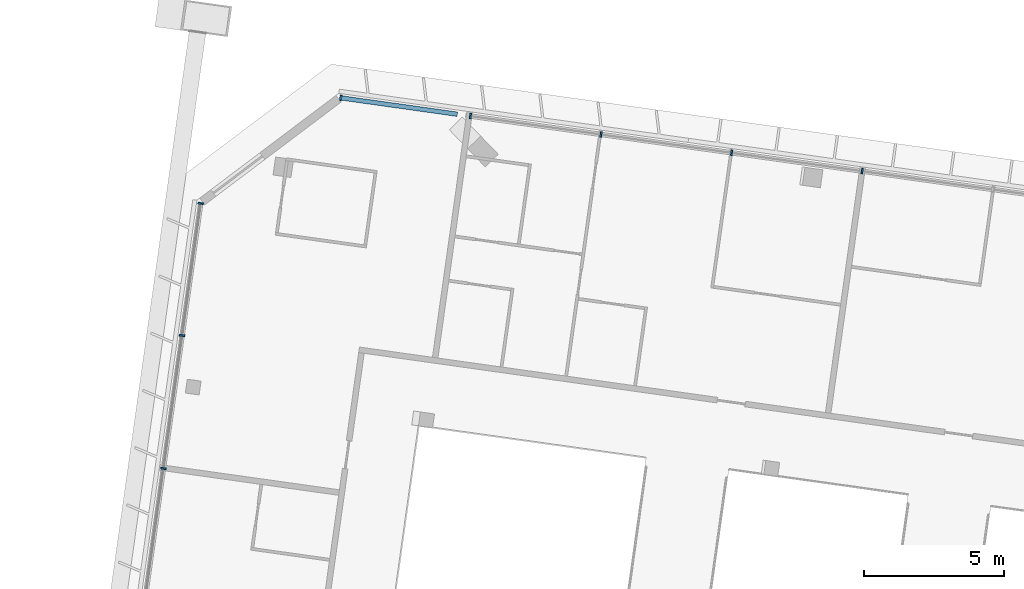
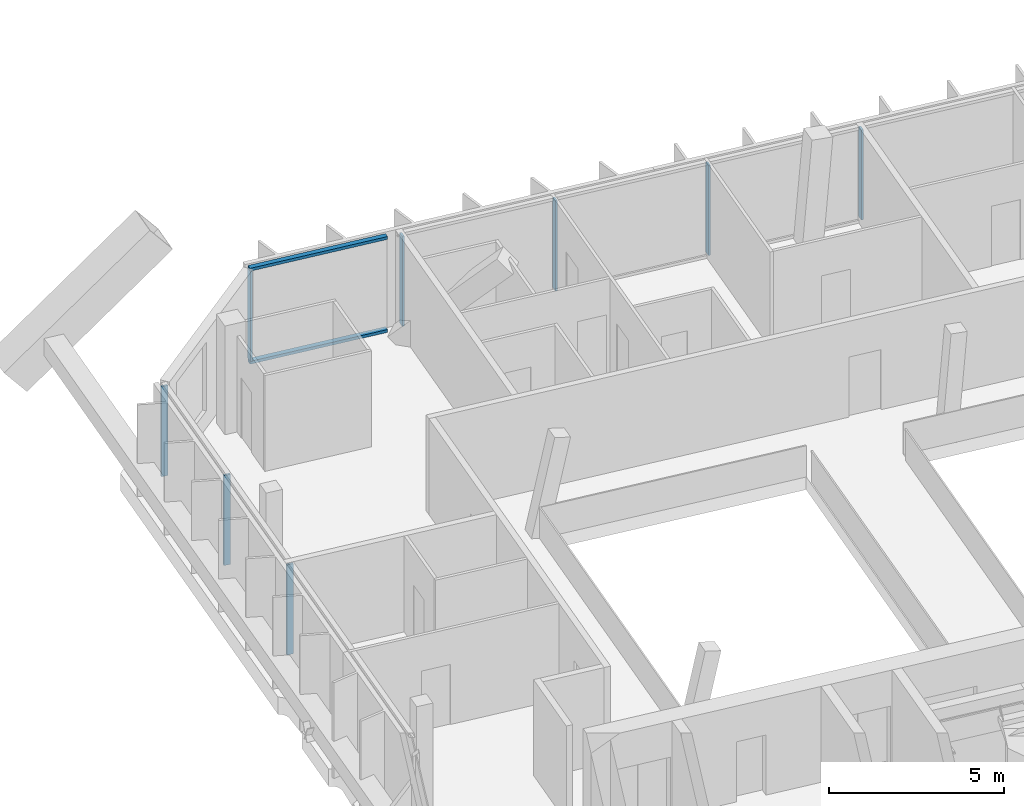
# One storey, part 6 of 25: 10 members, 2 elements without a shape of their own.
"""IFC4 building model written with IfcOpenShell, lengths in metres."""

from ifc_helpers import new_model, si_unit, direction, frame, origin, origin_2d, place, context, subcontext, project, spatial, rectangle, extrude, material, material_profile, profile_set, type_object, element, aggregate, save


model = new_model("IFC4")

# Units and contexts
model_context = context("Model", 3, precision=1e-05, world=origin(), true_north=direction((0.0, 1.0)))
body_context = subcontext(model_context, "Body", "Model", "MODEL_VIEW")
ifc_project = project(units=[si_unit("LENGTHUNIT", "METRE"), si_unit("AREAUNIT", "SQUARE_METRE"), si_unit("VOLUMEUNIT", "CUBIC_METRE"), si_unit("PLANEANGLEUNIT", "RADIAN"), si_unit("MASSUNIT", "GRAM", prefix="KILO")], contexts=[model_context])

# Site, building, storey
site_placement = place(None, origin())
site = spatial("IfcSite", under=ifc_project, at=site_placement, CompositionType="ELEMENT")
building_placement = place(site_placement, origin())
building = spatial("IfcBuilding", under=site, at=building_placement, Name="Mirante Cascada Hotel Towers", CompositionType="ELEMENT")
storey_placement = place(building_placement, frame((0.0, 0.0, 247.0)))
storey = spatial("IfcBuildingStorey", under=building, at=storey_placement, Name="L59", CompositionType="ELEMENT", Elevation=247.0)

# Curtain wall, members
ifc_material_1 = material(Name="Aluminium mullion and transom frame with clear laminated glass", Category="aluminium")
curtain_wall_type_1 = type_object("IfcCurtainWallType", Name="Ribbon curtain wall ECW1", PredefinedType="NOTDEFINED", material=ifc_material_1)
curtain_wall_1_placement = place(storey_placement, origin())
curtain_wall_1 = element("IfcCurtainWall", 1, at=curtain_wall_1_placement, inside=storey, type_object=curtain_wall_type_1, Name="Front ribbon wall T1 L59", PredefinedType="NOTDEFINED")
ifc_material_2 = material(Name="Anodised aluminium extrusion", Category="aluminium")
ifc_material_profile_1 = material_profile(ifc_material_2, rectangle(XDim=0.2, YDim=0.065, at=origin_2d()), Name="ECW1 MULLION 65x200")
ifc_profile_set_1 = profile_set([ifc_material_profile_1], Name="Anodised aluminium extrusion")
member_type_1 = type_object("IfcMemberType", Name="ECW1 mullion 65x200", PredefinedType="MULLION", material=ifc_profile_set_1)
member_1_placement = place(storey_placement, frame((-58.4763, 21.0373, 0.1), z_axis=(0.0, 0.0, 1.0), x_axis=(0.1391731, 0.9902681, 0.0)))
member_1 = element("IfcMember", 2, at=member_1_placement, type_object=member_type_1, Name="ECW1 mullion 1", PredefinedType="MULLION", context=body_context, shape_type="SweptSolid", body=[
    extrude(rectangle(XDim=0.2, YDim=0.065, at=origin_2d()), origin(), (0.0, 0.0, 1.0), 3.15),
])
member_2_placement = place(storey_placement, frame((-53.8296, 20.3843, 0.1), z_axis=(0.0, 0.0, 1.0), x_axis=(0.1391731, 0.9902681, 0.0)))
member_2 = element("IfcMember", 3, at=member_2_placement, type_object=member_type_1, Name="ECW1 mullion 2", PredefinedType="MULLION", context=body_context, shape_type="SweptSolid", body=[
    extrude(rectangle(XDim=0.2, YDim=0.065, at=origin_2d()), origin(), (0.0, 0.0, 1.0), 3.15),
])
member_3_placement = place(storey_placement, frame((-49.1507, 19.7267, 0.1), z_axis=(0.0, 0.0, 1.0), x_axis=(0.1391731, 0.9902681, 0.0)))
member_3 = element("IfcMember", 4, at=member_3_placement, type_object=member_type_1, Name="ECW1 mullion 3", PredefinedType="MULLION", context=body_context, shape_type="SweptSolid", body=[
    extrude(rectangle(XDim=0.2, YDim=0.065, at=origin_2d()), origin(), (0.0, 0.0, 1.0), 3.15),
])
member_4_placement = place(storey_placement, frame((-44.4717, 19.0691, 0.1), z_axis=(0.0, 0.0, 1.0), x_axis=(0.1391731, 0.9902681, 0.0)))
member_4 = element("IfcMember", 5, at=member_4_placement, type_object=member_type_1, Name="ECW1 mullion 4", PredefinedType="MULLION", context=body_context, shape_type="SweptSolid", body=[
    extrude(rectangle(XDim=0.2, YDim=0.065, at=origin_2d()), origin(), (0.0, 0.0, 1.0), 3.15),
])
member_5_placement = place(storey_placement, frame((-39.7928, 18.4115, 0.1), z_axis=(0.0, 0.0, 1.0), x_axis=(0.1391731, 0.9902681, 0.0)))
member_5 = element("IfcMember", 6, at=member_5_placement, type_object=member_type_1, Name="ECW1 mullion 5", PredefinedType="MULLION", context=body_context, shape_type="SweptSolid", body=[
    extrude(rectangle(XDim=0.2, YDim=0.065, at=origin_2d()), origin(), (0.0, 0.0, 1.0), 3.15),
])
ifc_material_3 = material(Name="Anodised aluminium extrusion", Category="aluminium")
ifc_material_profile_2 = material_profile(ifc_material_3, rectangle(XDim=0.16, YDim=0.1, at=origin_2d()), Name="ECW1 TRANSOM 100x160")
ifc_profile_set_2 = profile_set([ifc_material_profile_2], Name="Anodised aluminium extrusion")
member_type_2 = type_object("IfcMemberType", Name="ECW1 transom 100x160", PredefinedType="USERDEFINED", material=ifc_profile_set_2)
member_6_placement = place(storey_placement, frame((-58.5085, 21.0419, 0.05), z_axis=(0.9902671, -0.1391798, 0.0), x_axis=(0.1391798, 0.9902671, 0.0)))
member_6 = element("IfcMember", 7, at=member_6_placement, type_object=member_type_2, Name="ECW1 sill transom", ObjectType="TRANSOM", PredefinedType="USERDEFINED", context=body_context, shape_type="SweptSolid", body=[
    extrude(rectangle(XDim=0.16, YDim=0.1, at=origin_2d()), origin(), (0.0, 0.0, 1.0), 4.2477),
])
member_7_placement = place(storey_placement, frame((-58.5085, 21.0419, 3.3), z_axis=(0.9902671, -0.1391798, 0.0), x_axis=(0.1391798, 0.9902671, 0.0)))
member_7 = element("IfcMember", 8, at=member_7_placement, type_object=member_type_2, Name="ECW1 head transom", ObjectType="TRANSOM", PredefinedType="USERDEFINED", context=body_context, shape_type="SweptSolid", body=[
    extrude(rectangle(XDim=0.16, YDim=0.1, at=origin_2d()), origin(), (0.0, 0.0, 1.0), 4.2477),
])
aggregate(curtain_wall_1, [member_6, member_7, member_1, member_2, member_3, member_4, member_5])

ifc_material_4 = material(Name="Aluminium mullion and transom frame with clear laminated glass", Category="aluminium")
curtain_wall_type_2 = type_object("IfcCurtainWallType", Name="End ribbon curtain wall ECW2", PredefinedType="NOTDEFINED", material=ifc_material_4)
curtain_wall_2_placement = place(storey_placement, origin())
curtain_wall_2 = element("IfcCurtainWall", 9, at=curtain_wall_2_placement, inside=storey, type_object=curtain_wall_type_2, Name="Outer end wall T1 L59", PredefinedType="NOTDEFINED")
ifc_material_5 = material(Name="Anodised aluminium extrusion", Category="aluminium")
ifc_material_profile_3 = material_profile(ifc_material_5, rectangle(XDim=0.2, YDim=0.065, at=origin_2d()), Name="ECW2 MULLION 65x200")
ifc_profile_set_3 = profile_set([ifc_material_profile_3], Name="Anodised aluminium extrusion")
member_type_3 = type_object("IfcMemberType", Name="ECW2 mullion 65x200", PredefinedType="MULLION", material=ifc_profile_set_3)
member_8_placement = place(storey_placement, frame((-64.8313, 7.7551, 0.1), z_axis=(0.0, 0.0, 1.0), x_axis=(-0.9902681, 0.1391731, 0.0)))
member_8 = element("IfcMember", 10, at=member_8_placement, type_object=member_type_3, Name="ECW2 mullion 5", PredefinedType="MULLION", context=body_context, shape_type="SweptSolid", body=[
    extrude(rectangle(XDim=0.2, YDim=0.065, at=origin_2d()), origin(), (0.0, 0.0, 1.0), 3.15),
])
member_9_placement = place(storey_placement, frame((-64.1615, 12.5209, 0.1), z_axis=(0.0, 0.0, 1.0), x_axis=(-0.9902681, 0.1391731, 0.0)))
member_9 = element("IfcMember", 11, at=member_9_placement, type_object=member_type_3, Name="ECW2 mullion 6", PredefinedType="MULLION", context=body_context, shape_type="SweptSolid", body=[
    extrude(rectangle(XDim=0.2, YDim=0.065, at=origin_2d()), origin(), (0.0, 0.0, 1.0), 3.15),
])
member_10_placement = place(storey_placement, frame((-63.4963, 17.2545, 0.1), z_axis=(0.0, 0.0, 1.0), x_axis=(-0.9902681, 0.1391731, 0.0)))
member_10 = element("IfcMember", 12, at=member_10_placement, type_object=member_type_3, Name="ECW2 mullion 7", PredefinedType="MULLION", context=body_context, shape_type="SweptSolid", body=[
    extrude(rectangle(XDim=0.2, YDim=0.065, at=origin_2d()), origin(), (0.0, 0.0, 1.0), 3.15),
])
aggregate(curtain_wall_2, [member_8, member_9, member_10])

save(model, "model.ifc")
